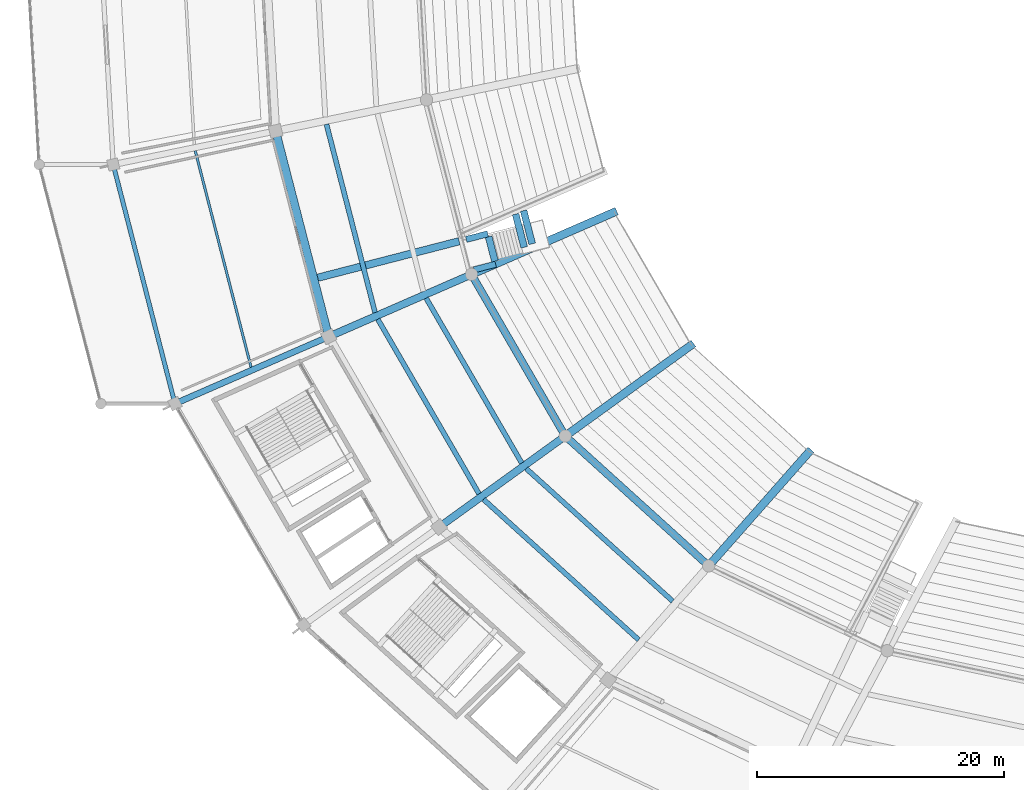
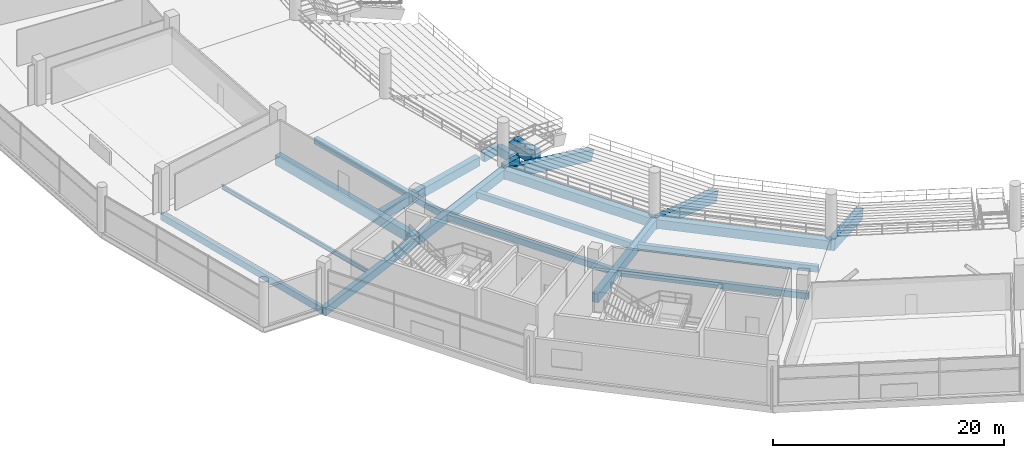
# One storey, part 12 of 156: 22 beams.
"""IFC4 building model written with IfcOpenShell, lengths in metres."""

from ifc_helpers import new_model, si_unit, direction, frame, origin, origin_2d, place, context, subcontext, project, spatial, rectangle, i_section, extrude, material, material_profile, profile_set, type_object, element, save


model = new_model("IFC4")

# Units and contexts
model_context = context("Model", 3, precision=1e-05, world=origin(), true_north=direction((0.0, 1.0)))
body_context = subcontext(model_context, "Body", "Model", "MODEL_VIEW")
ifc_project = project(units=[si_unit("LENGTHUNIT", "METRE"), si_unit("AREAUNIT", "SQUARE_METRE"), si_unit("VOLUMEUNIT", "CUBIC_METRE"), si_unit("PLANEANGLEUNIT", "RADIAN"), si_unit("MASSUNIT", "GRAM", prefix="KILO")], contexts=[model_context])

# Site, building, storey
site_placement = place(None, origin())
site = spatial("IfcSite", under=ifc_project, at=site_placement, CompositionType="ELEMENT")
building_placement = place(site_placement, origin())
building = spatial("IfcBuilding", under=site, at=building_placement, Name="Kazemori Nagisa Stadium", CompositionType="ELEMENT")
storey_placement = place(building_placement, frame((0.0, 0.0, 5.780029296875)))
storey = spatial("IfcBuildingStorey", under=building, at=storey_placement, Name="L01", CompositionType="ELEMENT", Elevation=5.780029296875)

# Beams
ifc_material_1 = material(Name="Concrete C40/50 (Fc42)", Category="concrete")
ifc_material_profile_1 = material_profile(ifc_material_1, rectangle(XDim=0.5, YDim=0.85009765625, at=origin_2d()), Name="RC-BM-500x850")
ifc_profile_set_1 = profile_set([ifc_material_profile_1], Name="Concrete C40/50 (Fc42)")
beam_type_1 = type_object("IfcBeamType", Name="Beam_BG-RC500X850", PredefinedType="BEAM", material=ifc_profile_set_1)
beam_1_placement = place(storey_placement, frame((46.55908203125, 68.67529296875, -0.705078125), z_axis=(-0.916683633521, -0.399613708517, 0.0), x_axis=(0.399613708517, -0.916683633521, 0.0)))
element("IfcBeam", 1, at=beam_1_placement, inside=storey, type_object=beam_type_1, Name="Radial girder BG-RC500X850 L01 R2-R3-17", PredefinedType="BEAM", context=body_context, shape_type="SweptSolid", body=[
    extrude(rectangle(XDim=0.5, YDim=0.85009765625, at=origin_2d()), origin(), (0.0, 0.0, 1.0), 13.5751953125),
])
ifc_material_profile_2 = material_profile(ifc_material_1, rectangle(XDim=0.60009765625, YDim=0.949951171875, at=origin_2d()), Name="RC-BM-600x950")
ifc_profile_set_2 = profile_set([ifc_material_profile_2], Name="Concrete C40/50 (Fc42)")
beam_type_2 = type_object("IfcBeamType", Name="Beam_BG-RC600X950", PredefinedType="BEAM", material=ifc_profile_set_2)
beam_2_placement = place(storey_placement, frame((58.114013671875, 73.712890625, -0.755126953125), z_axis=(0.501613453924, -0.865091869597, 0.0), x_axis=(0.865091869597, 0.501613453924, 0.0)))
element("IfcBeam", 2, at=beam_2_placement, inside=storey, type_object=beam_type_2, Name="Ring girder BG-RC600X950 L01 R1-17", PredefinedType="BEAM", context=body_context, shape_type="SweptSolid", body=[
    extrude(rectangle(XDim=0.60009765625, YDim=0.949951171875, at=origin_2d()), origin(), (0.0, 0.0, 1.0), 15.1201171875),
])
beam_3_placement = place(storey_placement, frame((65.698486328125, 60.632568359375, -0.755126953125), z_axis=(0.741349160152, -0.6711195294, 0.0), x_axis=(0.6711195294, 0.741349160152, 0.0)))
element("IfcBeam", 3, at=beam_3_placement, inside=storey, type_object=beam_type_2, Name="Ring girder BG-RC600X950 L01 R1-18", PredefinedType="BEAM", context=body_context, shape_type="SweptSolid", body=[
    extrude(rectangle(XDim=0.60009765625, YDim=0.949951171875, at=origin_2d()), origin(), (0.0, 0.0, 1.0), 15.65380859375),
])
beam_4_placement = place(storey_placement, frame((58.114013671875, 73.712890625, -0.755126953125), z_axis=(-0.916671768981, -0.399640923771, 0.0), x_axis=(0.399640923771, -0.916671768981, 0.0)))
element("IfcBeam", 4, at=beam_4_placement, inside=storey, type_object=beam_type_2, Name="Radial girder BG-RC600X950 L01 R1-R2-17", PredefinedType="BEAM", context=body_context, shape_type="SweptSolid", body=[
    extrude(rectangle(XDim=0.60009765625, YDim=0.949951171875, at=origin_2d()), origin(), (0.0, 0.0, 1.0), 12.605224609375),
])
beam_5_placement = place(storey_placement, frame((65.698486328125, 60.632568359375, -0.755126953125), z_axis=(-0.810802996314, -0.585319144714, 0.0), x_axis=(0.585319144714, -0.810802996314, 0.0)))
element("IfcBeam", 5, at=beam_5_placement, inside=storey, type_object=beam_type_2, Name="Radial girder BG-RC600X950 L01 R1-R2-18", PredefinedType="BEAM", context=body_context, shape_type="SweptSolid", body=[
    extrude(rectangle(XDim=0.60009765625, YDim=0.949951171875, at=origin_2d()), origin(), (0.0, 0.0, 1.0), 12.585693359375),
])
beam_6_placement = place(storey_placement, frame((57.115966796875, 76.398681640625, -0.755126953125), z_axis=(-0.968251347457, -0.249978655385, 0.0), x_axis=(0.249978655385, -0.968251347457, 0.0)))
element("IfcBeam", 6, at=beam_6_placement, inside=storey, type_object=beam_type_2, Name="Lower vomitory right backspan girder B16", PredefinedType="BEAM", context=body_context, shape_type="SweptSolid", body=[
    extrude(rectangle(XDim=0.60009765625, YDim=0.949951171875, at=origin_2d()), origin(), (0.0, 0.0, 1.0), 11.8125),
])
ifc_material_profile_3 = material_profile(ifc_material_1, rectangle(XDim=0.64990234375, YDim=1.050048828125, at=origin_2d()), Name="RC-BM-650x1050")
ifc_profile_set_3 = profile_set([ifc_material_profile_3], Name="Concrete C40/50 (Fc42)")
beam_type_3 = type_object("IfcBeamType", Name="Beam_BG-RC650X1050", PredefinedType="BEAM", material=ifc_profile_set_3)
beam_7_placement = place(storey_placement, frame((42.262451171875, 85.31787109375, -0.804931640625), z_axis=(0.249974673676, -0.968252375427, 0.0), x_axis=(0.968252375427, 0.249974673676, 0.0)))
element("IfcBeam", 7, at=beam_7_placement, inside=storey, type_object=beam_type_3, Name="Ring girder BG-RC650X1050 L01 R2-16", PredefinedType="BEAM", context=body_context, shape_type="SweptSolid", body=[
    extrude(rectangle(XDim=0.64990234375, YDim=1.050048828125, at=origin_2d()), origin(), (0.0, 0.0, 1.0), 17.188232421875),
])
ifc_material_profile_4 = material_profile(ifc_material_1, rectangle(XDim=0.5, YDim=0.949951171875, at=origin_2d()), Name="RC-BM-500x950")
ifc_profile_set_4 = profile_set([ifc_material_profile_4], Name="Concrete C40/50 (Fc42)")
beam_type_4 = type_object("IfcBeamType", Name="Beam_BG-TR500X950", PredefinedType="BEAM", material=ifc_profile_set_4)
beam_8_placement = place(storey_placement, frame((60.06982421875, 74.537841796875, -0.695068359375), z_axis=(-0.96825198063, -0.249976202879, 0.0), x_axis=(0.249976202879, -0.96825198063, 0.0)))
element("IfcBeam", 8, at=beam_8_placement, inside=storey, type_object=beam_type_4, Name="Lower vomitory left trimmer girder B16", PredefinedType="BEAM", context=body_context, shape_type="SweptSolid", body=[
    extrude(rectangle(XDim=0.5, YDim=0.949951171875, at=origin_2d()), origin(), (0.0, 0.0, 1.0), 1.804931640625),
])
beam_9_placement = place(storey_placement, frame((59.43505859375, 76.997314453125, -0.695068359375), z_axis=(-0.968260431642, -0.24994346664, 0.0), x_axis=(0.24994346664, -0.968260431642, 0.0)))
element("IfcBeam", 9, at=beam_9_placement, inside=storey, type_object=beam_type_4, Name="Lower vomitory right trimmer girder B16", PredefinedType="BEAM", context=body_context, shape_type="SweptSolid", body=[
    extrude(rectangle(XDim=0.5, YDim=0.949951171875, at=origin_2d()), origin(), (0.0, 0.0, 1.0), 1.80517578125),
])
ifc_material_profile_5 = material_profile(ifc_material_1, rectangle(XDim=0.550048828125, YDim=0.949951171875, at=origin_2d()), Name="RC-BM-550x950")
ifc_profile_set_5 = profile_set([ifc_material_profile_5], Name="Concrete C40/50 (Fc42)")
beam_type_5 = type_object("IfcBeamType", Name="Beam_BG-TR550X950", PredefinedType="BEAM", material=ifc_profile_set_5)
beam_10_placement = place(storey_placement, frame((60.008544921875, 74.775146484375, -0.695068359375), z_axis=(-0.249982473461, 0.968250361715, 0.0), x_axis=(-0.968250361715, -0.249982473461, 0.0)))
element("IfcBeam", 10, at=beam_10_placement, inside=storey, type_object=beam_type_5, Name="Lower vomitory portal header girder B16", PredefinedType="BEAM", context=body_context, shape_type="SweptSolid", body=[
    extrude(rectangle(XDim=0.550048828125, YDim=0.949951171875, at=origin_2d()), origin(), (0.0, 0.0, 1.0), 2.050048828125),
])
for number, where, z_axis, x_axis, name in (
    (11, (61.681396484375, 78.5966796875, -2.135009765625), (0.249925825176, -0.968264985379, 0.0), (0.968264985379, 0.249925825176, 0.0), "Vomitory landing cross-beam VL07-1"),
    (12, (62.327392578125, 78.87841796875, -2.135009765625), (0.249925825176, -0.968264985379, 0.0), (0.968264985379, 0.249925825176, 0.0), "Vomitory landing cross-beam VL07-2"),
):
    element("IfcBeam", number, at=place(storey_placement, frame(where, z_axis=z_axis, x_axis=x_axis)), inside=storey, type_object=beam_type_5, Name=name, PredefinedType="BEAM", context=body_context, shape_type="SweptSolid", body=[
        extrude(rectangle(XDim=0.550048828125, YDim=0.949951171875, at=origin_2d()), origin(), (0.0, 0.0, 1.0), 2.780029296875),
    ])
ifc_material_2 = material(Name="Steel SN490B", Category="steel")
ifc_material_profile_6 = material_profile(ifc_material_2, i_section(OverallWidth=0.199951171875, OverallDepth=0.449951171875, WebThickness=0.009033203125, FlangeThickness=0.013916015625, FilletRadius=0.012939453125, at=origin_2d()), Name="H-450x200x9x14")
ifc_profile_set_6 = profile_set([ifc_material_profile_6], Name="Steel SN490B")
beam_type_6 = type_object("IfcBeamType", Name="Beam_BJ-H450", PredefinedType="JOIST", material=ifc_profile_set_6)
beam_11_placement = place(storey_placement, frame((35.752197265625, 83.722900390625, -0.505126953125), z_axis=(0.249965739243, -0.968254681995, 0.0), x_axis=(0.968254681995, 0.249965739243, 0.0)))
element("IfcBeam", 13, at=beam_11_placement, inside=storey, type_object=beam_type_6, Name="Outer bay joist BJ-H450 L01 B16", PredefinedType="JOIST", context=body_context, shape_type="SweptSolid", body=[
    extrude(i_section(OverallWidth=0.199951171875, OverallDepth=0.449951171875, WebThickness=0.009033203125, FlangeThickness=0.013916015625, FilletRadius=0.012939453125, at=origin_2d()), origin(), (0.0, 0.0, 1.0), 18.09716796875),
])
ifc_material_profile_7 = material_profile(ifc_material_1, rectangle(XDim=0.39990234375, YDim=0.64990234375, at=origin_2d()), Name="RC-BM-400x650")
ifc_profile_set_7 = profile_set([ifc_material_profile_7], Name="Concrete C40/50 (Fc42)")
beam_type_7 = type_object("IfcBeamType", Name="Beam_BJ-RC400X650", PredefinedType="JOIST", material=ifc_profile_set_7)
beam_12_placement = place(storey_placement, frame((46.373046875, 85.866455078125, -0.60498046875), z_axis=(0.24997419154, -0.968252499901, 0.0), x_axis=(0.968252499901, 0.24997419154, 0.0)))
element("IfcBeam", 14, at=beam_12_placement, inside=storey, type_object=beam_type_7, Name="Concourse joist BJ-RC400X650 L01 B16-2", PredefinedType="JOIST", context=body_context, shape_type="SweptSolid", body=[
    extrude(rectangle(XDim=0.39990234375, YDim=0.64990234375, at=origin_2d()), origin(), (0.0, 0.0, 1.0), 15.739013671875),
])
beam_13_placement = place(storey_placement, frame((54.43994140625, 71.79150390625, -0.60498046875), z_axis=(0.501607199617, -0.865095496054, 0.0), x_axis=(0.865095496054, 0.501607199617, 0.0)))
element("IfcBeam", 15, at=beam_13_placement, inside=storey, type_object=beam_type_7, Name="Concourse joist BJ-RC400X650 L01 B17-1", PredefinedType="JOIST", context=body_context, shape_type="SweptSolid", body=[
    extrude(rectangle(XDim=0.39990234375, YDim=0.64990234375, at=origin_2d()), origin(), (0.0, 0.0, 1.0), 15.420654296875),
])
beam_14_placement = place(storey_placement, frame((50.529052734375, 70.08642578125, -0.60498046875), z_axis=(0.501604213872, -0.865097227268, 0.0), x_axis=(0.865097227268, 0.501604213872, 0.0)))
element("IfcBeam", 16, at=beam_14_placement, inside=storey, type_object=beam_type_7, Name="Concourse joist BJ-RC400X650 L01 B17-2", PredefinedType="JOIST", context=body_context, shape_type="SweptSolid", body=[
    extrude(rectangle(XDim=0.39990234375, YDim=0.64990234375, at=origin_2d()), origin(), (0.0, 0.0, 1.0), 16.331787109375),
])
beam_15_placement = place(storey_placement, frame((62.541748046875, 57.998046875, -0.60498046875), z_axis=(0.741344716793, -0.671124437704, 0.0), x_axis=(0.671124437704, 0.741344716793, 0.0)))
element("IfcBeam", 17, at=beam_15_placement, inside=storey, type_object=beam_type_7, Name="Concourse joist BJ-RC400X650 L01 B18-1", PredefinedType="JOIST", context=body_context, shape_type="SweptSolid", body=[
    extrude(rectangle(XDim=0.39990234375, YDim=0.64990234375, at=origin_2d()), origin(), (0.0, 0.0, 1.0), 15.986328125),
])
beam_16_placement = place(storey_placement, frame((59.087890625, 55.504638671875, -0.60498046875), z_axis=(0.741349213887, -0.671119470041, 0.0), x_axis=(0.671119470041, 0.741349213887, 0.0)))
element("IfcBeam", 18, at=beam_16_placement, inside=storey, type_object=beam_type_7, Name="Concourse joist BJ-RC400X650 L01 B18-2", PredefinedType="JOIST", context=body_context, shape_type="SweptSolid", body=[
    extrude(rectangle(XDim=0.39990234375, YDim=0.64990234375, at=origin_2d()), origin(), (0.0, 0.0, 1.0), 16.9296875),
])
ifc_material_profile_8 = material_profile(ifc_material_1, rectangle(XDim=0.35009765625, YDim=0.699951171875, at=origin_2d()), Name="RC-SP-350x700")
ifc_profile_set_8 = profile_set([ifc_material_profile_8], Name="Concrete C40/50 (Fc42)")
beam_type_8 = type_object("IfcBeamType", Name="Beam_BS-RC350X700", PredefinedType="SPANDREL", material=ifc_profile_set_8)
beam_17_placement = place(storey_placement, frame((29.119140625, 82.602294921875, -0.630126953125), z_axis=(0.249964097999, -0.968255105699, 0.0), x_axis=(0.968255105699, 0.249964097999, 0.0)))
element("IfcBeam", 19, at=beam_17_placement, inside=storey, type_object=beam_type_8, Name="Ring girder BS-RC350X700 L01 R3-16", PredefinedType="SPANDREL", context=body_context, shape_type="SweptSolid", body=[
    extrude(rectangle(XDim=0.35009765625, YDim=0.699951171875, at=origin_2d()), origin(), (0.0, 0.0, 1.0), 19.986328125),
])
ifc_material_profile_9 = material_profile(ifc_material_1, rectangle(XDim=0.64990234375, YDim=1.10009765625, at=origin_2d()), Name="RC-RK-650x1100")
ifc_profile_set_9 = profile_set([ifc_material_profile_9], Name="Concrete C40/50 (Fc42)")
beam_type_9 = type_object("IfcBeamType", Name="Beam_RK-RC650X1100", PredefinedType="USERDEFINED", material=ifc_profile_set_9)
beam_18_placement = place(storey_placement, frame((69.6689453125, 78.750244140625, -5.97998046875), z_axis=(-0.848589087357, -0.369941022194, 0.378206558531), x_axis=(0.399624648835, -0.916678864185, 0.0)))
element("IfcBeam", 20, at=beam_18_placement, inside=storey, type_object=beam_type_9, Name="Raker beam lower RK1-17", ObjectType="RAKER BEAM", PredefinedType="USERDEFINED", context=body_context, shape_type="SweptSolid", body=[
    extrude(rectangle(XDim=0.64990234375, YDim=1.10009765625, at=origin_2d()), origin(), (0.0, 0.0, 1.0), 13.61669921875),
])
beam_19_placement = place(storey_placement, frame((75.90283203125, 67.99951171875, -5.97998046875), z_axis=(-0.75039658513, -0.541742635985, 0.378708174432), x_axis=(0.58534110289, -0.810787144242, 0.0)))
element("IfcBeam", 21, at=beam_19_placement, inside=storey, type_object=beam_type_9, Name="Raker beam lower RK1-18", ObjectType="RAKER BEAM", PredefinedType="USERDEFINED", context=body_context, shape_type="SweptSolid", body=[
    extrude(rectangle(XDim=0.64990234375, YDim=1.10009765625, at=origin_2d()), origin(), (0.0, 0.0, 1.0), 13.5986328125),
])
beam_20_placement = place(storey_placement, frame((85.441162109375, 59.364501953125, -5.97998046875), z_axis=(-0.609816072316, -0.692236011287, 0.385919243653), x_axis=(0.750364849943, -0.66102389667, 0.0)))
element("IfcBeam", 22, at=beam_20_placement, inside=storey, type_object=beam_type_9, Name="Raker beam lower RK1-19", ObjectType="RAKER BEAM", PredefinedType="USERDEFINED", context=body_context, shape_type="SweptSolid", body=[
    extrude(rectangle(XDim=0.64990234375, YDim=1.10009765625, at=origin_2d()), origin(), (0.0, 0.0, 1.0), 13.344482421875),
])

save(model, "model.ifc")
